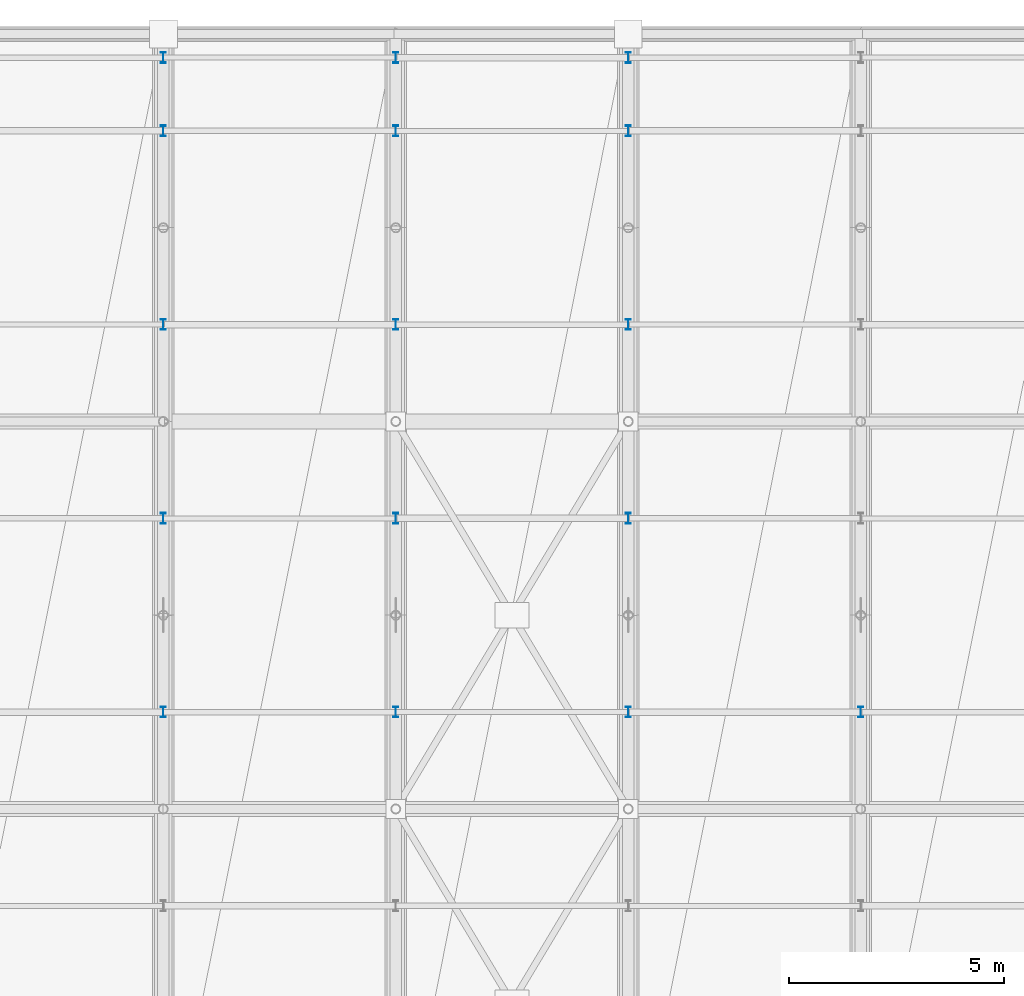
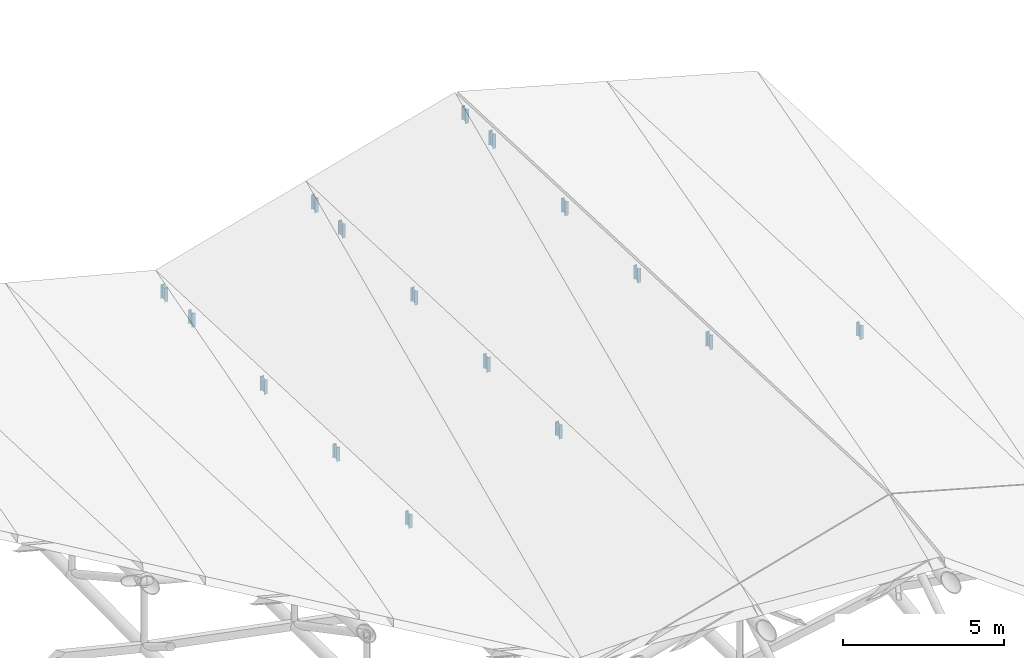
# One storey, part 93 of 109: 16 members.
"""IFC4 building model written with IfcOpenShell, lengths in metres."""

from ifc_helpers import new_model, si_unit, direction, frame, origin, origin_2d, place, context, subcontext, project, spatial, i_section, extrude, material, material_profile, profile_set, type_object, element, save


model = new_model("IFC4")

# Units and contexts
model_context = context("Model", 3, precision=1e-05, world=origin(), true_north=direction((0.0, 1.0)))
body_context = subcontext(model_context, "Body", "Model", "MODEL_VIEW")
ifc_project = project(units=[si_unit("LENGTHUNIT", "METRE"), si_unit("AREAUNIT", "SQUARE_METRE"), si_unit("VOLUMEUNIT", "CUBIC_METRE"), si_unit("PLANEANGLEUNIT", "RADIAN"), si_unit("MASSUNIT", "GRAM", prefix="KILO")], contexts=[model_context])

# Site, building, storey
site_placement = place(None, origin())
site = spatial("IfcSite", under=ifc_project, at=site_placement, CompositionType="ELEMENT")
building_placement = place(site_placement, origin())
building = spatial("IfcBuilding", under=site, at=building_placement, Name="Suirenkawa Promenade Aquatics Centre", CompositionType="ELEMENT")
storey_placement = place(building_placement, frame((0.0, 0.0, 22.800048828125)))
storey = spatial("IfcBuildingStorey", under=building, at=storey_placement, Name="ROOF", CompositionType="ELEMENT", Elevation=22.800048828125)

# Members
ifc_material = material(Name="Steel IS 2062 E350 (Grade 350)", Category="steel")
ifc_material_profile = material_profile(ifc_material, i_section(OverallWidth=0.125, OverallDepth=0.25, WebThickness=0.007080078125, FlangeThickness=0.012939453125, at=origin_2d()), Name="ISMB 250", Category="steel")
ifc_profile_set = profile_set([ifc_material_profile], Name="Steel IS 2062 E350 (Grade 350)")
member_type = type_object("IfcMemberType", Name="MT-WEB-CHS168", PredefinedType="BRACE", material=ifc_profile_set)
member_1_placement = place(storey_placement, frame((133.199951171875, 106.64990234375, -9.8779296875), z_axis=(0.0, 0.0, 1.0), x_axis=(1.0, 0.0, 0.0)))
element("IfcMember", 1, at=member_1_placement, inside=storey, type_object=member_type, Name="ROOF TRUSS Purlin cleat post TD-03 MB-2254", PredefinedType="BRACE", context=body_context, shape_type="SweptSolid", body=[
    extrude(i_section(OverallWidth=0.125, OverallDepth=0.25, WebThickness=0.007080078125, FlangeThickness=0.012939453125, at=origin_2d()), origin(), (0.0, 0.0, 1.0), 0.52685546875),
])
member_2_placement = place(storey_placement, frame((133.199951171875, 111.14990234375, -10.06201171875), z_axis=(0.0, 0.0, 1.0), x_axis=(1.0, 0.0, 0.0)))
element("IfcMember", 2, at=member_2_placement, inside=storey, type_object=member_type, Name="ROOF TRUSS Purlin cleat post TD-03 MB-2256", PredefinedType="BRACE", context=body_context, shape_type="SweptSolid", body=[
    extrude(i_section(OverallWidth=0.125, OverallDepth=0.25, WebThickness=0.007080078125, FlangeThickness=0.012939453125, at=origin_2d()), origin(), (0.0, 0.0, 1.0), 0.529052734375),
])
member_3_placement = place(storey_placement, frame((133.199951171875, 115.64990234375, -10.2451171875), z_axis=(0.0, 0.0, 1.0), x_axis=(1.0, 0.0, 0.0)))
element("IfcMember", 3, at=member_3_placement, inside=storey, type_object=member_type, Name="ROOF TRUSS Purlin cleat post TD-03 MB-2258", PredefinedType="BRACE", context=body_context, shape_type="SweptSolid", body=[
    extrude(i_section(OverallWidth=0.125, OverallDepth=0.25, WebThickness=0.007080078125, FlangeThickness=0.012939453125, at=origin_2d()), origin(), (0.0, 0.0, 1.0), 0.552978515625),
])
member_4_placement = place(storey_placement, frame((133.199951171875, 120.14990234375, -10.427978515625), z_axis=(0.0, 0.0, 1.0), x_axis=(1.0, 0.0, 0.0)))
element("IfcMember", 4, at=member_4_placement, inside=storey, type_object=member_type, Name="ROOF TRUSS Purlin cleat post TD-03 MB-2260", PredefinedType="BRACE", context=body_context, shape_type="SweptSolid", body=[
    extrude(i_section(OverallWidth=0.125, OverallDepth=0.25, WebThickness=0.007080078125, FlangeThickness=0.012939453125, at=origin_2d()), origin(), (0.0, 0.0, 1.0), 0.52685546875),
])
member_5_placement = place(storey_placement, frame((133.199951171875, 121.85009765625, -10.498046875), z_axis=(0.0, 0.0, 1.0), x_axis=(1.0, 0.0, 0.0)))
element("IfcMember", 5, at=member_5_placement, inside=storey, type_object=member_type, Name="ROOF TRUSS Purlin cleat post TD-03 MB-2262", PredefinedType="BRACE", context=body_context, shape_type="SweptSolid", body=[
    extrude(i_section(OverallWidth=0.125, OverallDepth=0.25, WebThickness=0.007080078125, FlangeThickness=0.012939453125, at=origin_2d()), origin(), (0.0, 0.0, 1.0), 0.529052734375),
])
member_6_placement = place(storey_placement, frame((138.60009765625, 106.64990234375, -8.3779296875), z_axis=(0.0, 0.0, 1.0), x_axis=(1.0, 0.0, 0.0)))
element("IfcMember", 6, at=member_6_placement, inside=storey, type_object=member_type, Name="ROOF TRUSS Purlin cleat post TD-03 MB-2290", PredefinedType="BRACE", context=body_context, shape_type="SweptSolid", body=[
    extrude(i_section(OverallWidth=0.125, OverallDepth=0.25, WebThickness=0.007080078125, FlangeThickness=0.012939453125, at=origin_2d()), origin(), (0.0, 0.0, 1.0), 0.52783203125),
])
member_7_placement = place(storey_placement, frame((138.60009765625, 111.14990234375, -8.56201171875), z_axis=(0.0, 0.0, 1.0), x_axis=(1.0, 0.0, 0.0)))
element("IfcMember", 7, at=member_7_placement, inside=storey, type_object=member_type, Name="ROOF TRUSS Purlin cleat post TD-03 MB-2292", PredefinedType="BRACE", context=body_context, shape_type="SweptSolid", body=[
    extrude(i_section(OverallWidth=0.125, OverallDepth=0.25, WebThickness=0.007080078125, FlangeThickness=0.012939453125, at=origin_2d()), origin(), (0.0, 0.0, 1.0), 0.553955078125),
])
member_8_placement = place(storey_placement, frame((138.60009765625, 115.64990234375, -8.7451171875), z_axis=(0.0, 0.0, 1.0), x_axis=(1.0, 0.0, 0.0)))
element("IfcMember", 8, at=member_8_placement, inside=storey, type_object=member_type, Name="ROOF TRUSS Purlin cleat post TD-03 MB-2294", PredefinedType="BRACE", context=body_context, shape_type="SweptSolid", body=[
    extrude(i_section(OverallWidth=0.125, OverallDepth=0.25, WebThickness=0.007080078125, FlangeThickness=0.012939453125, at=origin_2d()), origin(), (0.0, 0.0, 1.0), 0.528076171875),
])
member_9_placement = place(storey_placement, frame((138.60009765625, 120.14990234375, -8.927978515625), z_axis=(0.0, 0.0, 1.0), x_axis=(1.0, 0.0, 0.0)))
element("IfcMember", 9, at=member_9_placement, inside=storey, type_object=member_type, Name="ROOF TRUSS Purlin cleat post TD-03 MB-2296", PredefinedType="BRACE", context=body_context, shape_type="SweptSolid", body=[
    extrude(i_section(OverallWidth=0.125, OverallDepth=0.25, WebThickness=0.007080078125, FlangeThickness=0.012939453125, at=origin_2d()), origin(), (0.0, 0.0, 1.0), 0.52783203125),
])
member_10_placement = place(storey_placement, frame((138.60009765625, 121.85009765625, -8.998046875), z_axis=(0.0, 0.0, 1.0), x_axis=(1.0, 0.0, 0.0)))
element("IfcMember", 10, at=member_10_placement, inside=storey, type_object=member_type, Name="ROOF TRUSS Purlin cleat post TD-03 MB-2298", PredefinedType="BRACE", context=body_context, shape_type="SweptSolid", body=[
    extrude(i_section(OverallWidth=0.125, OverallDepth=0.25, WebThickness=0.007080078125, FlangeThickness=0.012939453125, at=origin_2d()), origin(), (0.0, 0.0, 1.0), 0.553955078125),
])
member_11_placement = place(storey_placement, frame((144.0, 106.64990234375, -6.8779296875), z_axis=(0.0, 0.0, 1.0), x_axis=(1.0, 0.0, 0.0)))
element("IfcMember", 11, at=member_11_placement, inside=storey, type_object=member_type, Name="ROOF TRUSS Purlin cleat post TD-03 MB-2326", PredefinedType="BRACE", context=body_context, shape_type="SweptSolid", body=[
    extrude(i_section(OverallWidth=0.125, OverallDepth=0.25, WebThickness=0.007080078125, FlangeThickness=0.012939453125, at=origin_2d()), origin(), (0.0, 0.0, 1.0), 0.552978515625),
])
for number, where, z_axis, x_axis, name in (
    (12, (144.0, 111.14990234375, -7.06201171875), (0.0, 0.0, 1.0), (1.0, 0.0, 0.0), "ROOF TRUSS Purlin cleat post TD-03 MB-2328"),
    (13, (144.0, 115.64990234375, -7.2451171875), (0.0, 0.0, 1.0), (1.0, 0.0, 0.0), "ROOF TRUSS Purlin cleat post TD-03 MB-2330"),
):
    element("IfcMember", number, at=place(storey_placement, frame(where, z_axis=z_axis, x_axis=x_axis)), inside=storey, type_object=member_type, Name=name, PredefinedType="BRACE", context=body_context, shape_type="SweptSolid", body=[
        extrude(i_section(OverallWidth=0.125, OverallDepth=0.25, WebThickness=0.007080078125, FlangeThickness=0.012939453125, at=origin_2d()), origin(), (0.0, 0.0, 1.0), 0.528076171875),
    ])
member_12_placement = place(storey_placement, frame((144.0, 120.14990234375, -7.427978515625), z_axis=(0.0, 0.0, 1.0), x_axis=(1.0, 0.0, 0.0)))
element("IfcMember", 14, at=member_12_placement, inside=storey, type_object=member_type, Name="ROOF TRUSS Purlin cleat post TD-03 MB-2332", PredefinedType="BRACE", context=body_context, shape_type="SweptSolid", body=[
    extrude(i_section(OverallWidth=0.125, OverallDepth=0.25, WebThickness=0.007080078125, FlangeThickness=0.012939453125, at=origin_2d()), origin(), (0.0, 0.0, 1.0), 0.552978515625),
])
member_13_placement = place(storey_placement, frame((144.0, 121.85009765625, -7.498046875), z_axis=(0.0, 0.0, 1.0), x_axis=(1.0, 0.0, 0.0)))
element("IfcMember", 15, at=member_13_placement, inside=storey, type_object=member_type, Name="ROOF TRUSS Purlin cleat post TD-03 MB-2334", PredefinedType="BRACE", context=body_context, shape_type="SweptSolid", body=[
    extrude(i_section(OverallWidth=0.125, OverallDepth=0.25, WebThickness=0.007080078125, FlangeThickness=0.012939453125, at=origin_2d()), origin(), (0.0, 0.0, 1.0), 0.528076171875),
])
member_14_placement = place(storey_placement, frame((149.39990234375, 106.64990234375, -8.3779296875), z_axis=(0.0, 0.0, 1.0), x_axis=(1.0, 0.0, 0.0)))
element("IfcMember", 16, at=member_14_placement, inside=storey, type_object=member_type, Name="ROOF TRUSS Purlin cleat post TD-03 MB-2362", PredefinedType="BRACE", context=body_context, shape_type="SweptSolid", body=[
    extrude(i_section(OverallWidth=0.125, OverallDepth=0.25, WebThickness=0.007080078125, FlangeThickness=0.012939453125, at=origin_2d()), origin(), (0.0, 0.0, 1.0), 0.52685546875),
])

save(model, "model.ifc")
